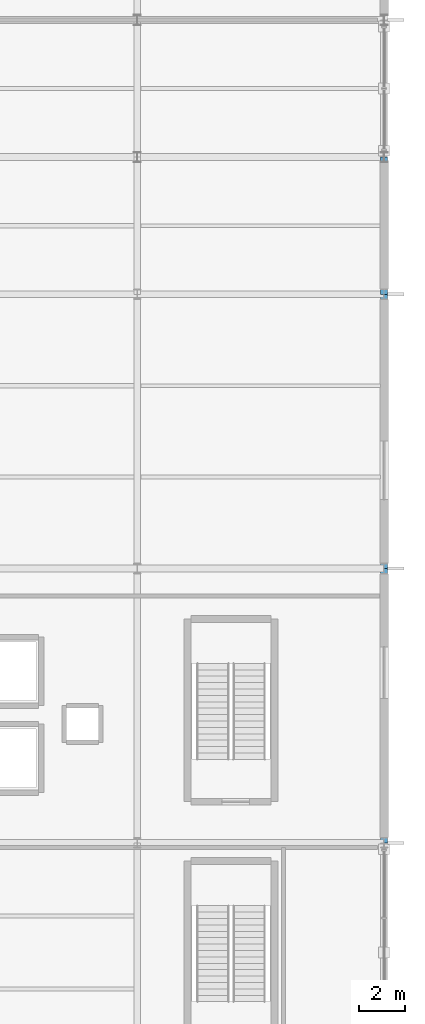
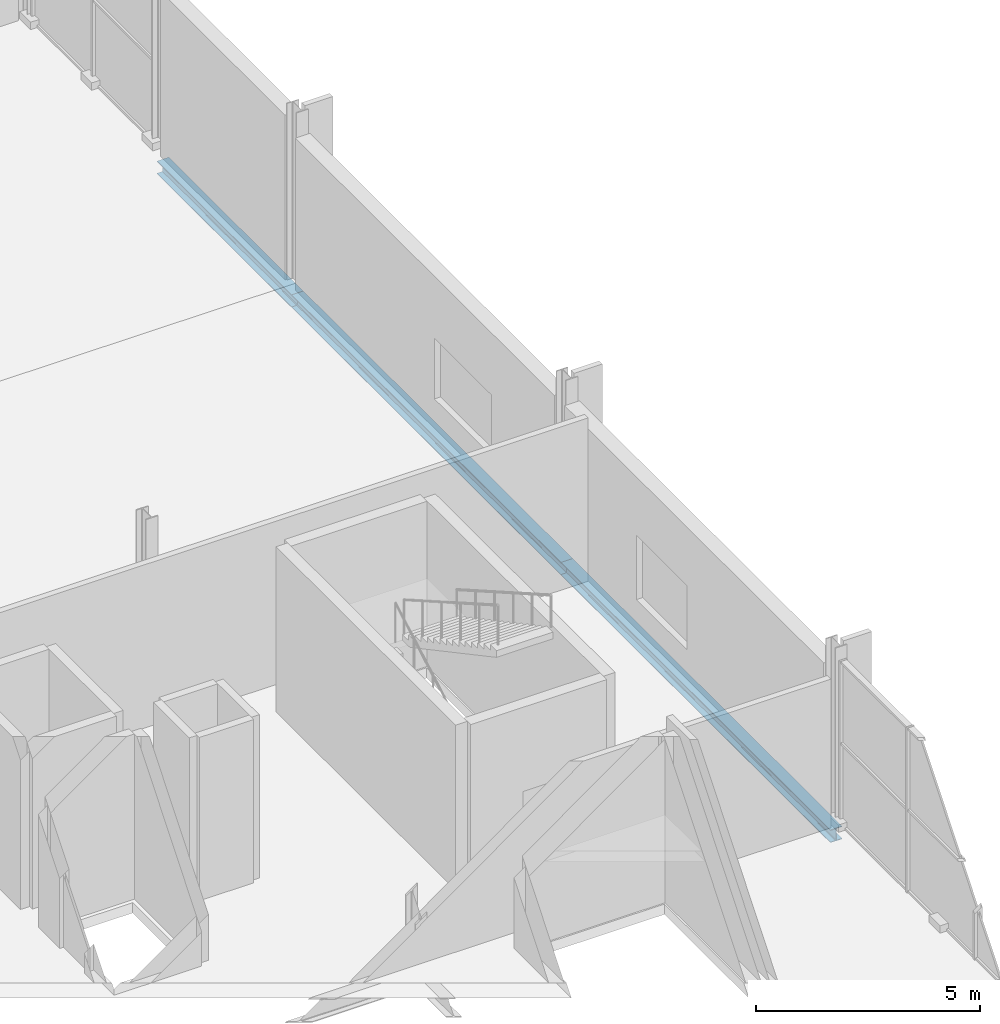
# One storey, part 117 of 159: 3 beams.
"""IFC4 building model written with IfcOpenShell, lengths in metres."""

from ifc_helpers import new_model, si_unit, direction, frame, origin, origin_2d, place, context, subcontext, project, spatial, i_section, extrude, material, material_profile, profile_set, type_object, element, save


model = new_model("IFC4")

# Units and contexts
model_context = context("Model", 3, precision=1e-05, world=origin(), true_north=direction((0.0, 1.0)))
body_context = subcontext(model_context, "Body", "Model", "MODEL_VIEW")
ifc_project = project(units=[si_unit("LENGTHUNIT", "METRE"), si_unit("AREAUNIT", "SQUARE_METRE"), si_unit("VOLUMEUNIT", "CUBIC_METRE"), si_unit("PLANEANGLEUNIT", "RADIAN"), si_unit("MASSUNIT", "GRAM", prefix="KILO")], contexts=[model_context])

# Site, building, storey
site_placement = place(None, origin())
site = spatial("IfcSite", under=ifc_project, at=site_placement, CompositionType="ELEMENT")
building_placement = place(site_placement, origin())
building = spatial("IfcBuilding", under=site, at=building_placement, Name="Merenkruunu Market Hall", CompositionType="ELEMENT")
storey_placement = place(building_placement, frame((0.0, 0.0, 5.39990234375)))
storey = spatial("IfcBuildingStorey", under=building, at=storey_placement, Name="L01", CompositionType="ELEMENT", Elevation=5.39990234375)

# Beams
ifc_material = material(Name="Steel S355J2", Category="steel")
ifc_material_profile = material_profile(ifc_material, i_section(OverallWidth=0.300048828125, OverallDepth=0.35009765625, WebThickness=0.010009765625, FlangeThickness=0.017578125, FilletRadius=0.027099609375, at=origin_2d()), Name="HEA 360")
ifc_profile_set = profile_set([ifc_material_profile], Name="Steel S355J2")
beam_type = type_object("IfcBeamType", Name="Primary Floor Girder B08", PredefinedType="BEAM", material=ifc_profile_set)
for number, where, z_axis, x_axis, name in (
    (1, (192.0, 15.60009765625, -0.454833984375), (0.0, 1.0, 0.0), (-1.0, 0.0, 0.0), "BM-L01-B08-0645"),
    (2, (192.0, 27.60009765625, -0.454833984375), (0.0, 1.0, 0.0), (-1.0, 0.0, 0.0), "BM-L01-B08-0646"),
):
    element("IfcBeam", number, at=place(storey_placement, frame(where, z_axis=z_axis, x_axis=x_axis)), inside=storey, type_object=beam_type, Name=name, PredefinedType="BEAM", context=body_context, shape_type="SweptSolid", body=[
        extrude(i_section(OverallWidth=0.300048828125, OverallDepth=0.35009765625, WebThickness=0.010009765625, FlangeThickness=0.017578125, FilletRadius=0.027099609375, at=origin_2d()), origin(), (0.0, 0.0, 1.0), 12.0),
    ])
beam_placement = place(storey_placement, frame((192.0, 39.60009765625, -0.454833984375), z_axis=(0.0, 1.0, 0.0), x_axis=(-1.0, 0.0, 0.0)))
element("IfcBeam", 3, at=beam_placement, inside=storey, type_object=beam_type, Name="BM-L01-B08-0647", PredefinedType="BEAM", context=body_context, shape_type="SweptSolid", body=[
    extrude(i_section(OverallWidth=0.300048828125, OverallDepth=0.35009765625, WebThickness=0.010009765625, FlangeThickness=0.017578125, FilletRadius=0.027099609375, at=origin_2d()), origin(), (0.0, 0.0, 1.0), 6.0),
])

save(model, "model.ifc")
